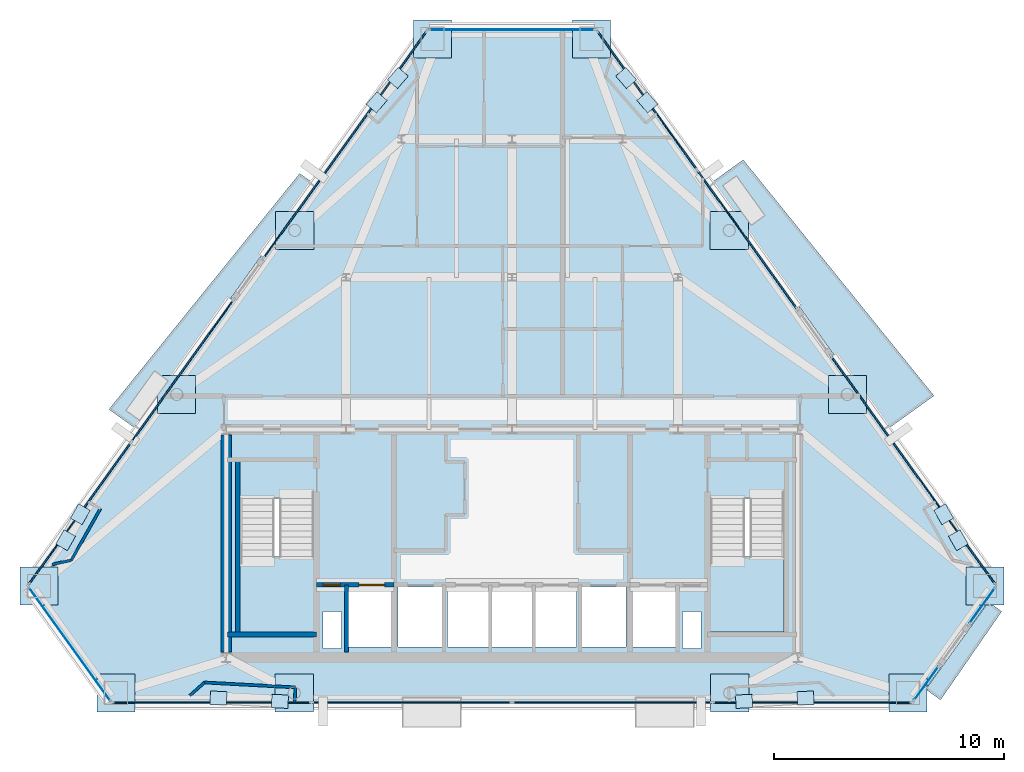
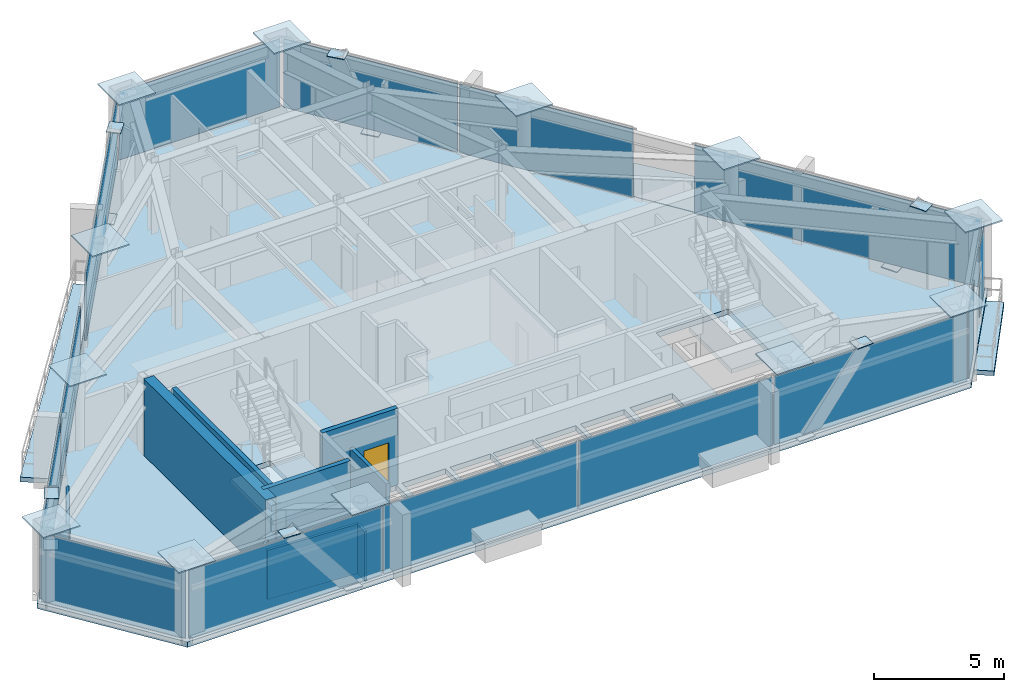
# One storey, part 6 of 11: 38 plates, 10 walls, 6 slabs, 2 doors, 2 openings, 11 elements without a shape of their own.
"""IFC4 building model written with IfcOpenShell, lengths in metres."""

from ifc_helpers import new_model, si_unit, direction, frame, frame_2d, origin, origin_2d, place, context, subcontext, project, spatial, polyline, rectangle, outline, extrude, source, transform, mapped, material, layer, layer_set, type_object, type_shapes, element, fill, aggregate, save


model = new_model("IFC4")

# Units and contexts
model_context = context("Model", 3, precision=1e-05, world=origin(), true_north=direction((0.0, 1.0)))
body_context = subcontext(model_context, "Body", "Model", "MODEL_VIEW")
ifc_project = project(units=[si_unit("LENGTHUNIT", "METRE"), si_unit("AREAUNIT", "SQUARE_METRE"), si_unit("VOLUMEUNIT", "CUBIC_METRE"), si_unit("PLANEANGLEUNIT", "RADIAN"), si_unit("MASSUNIT", "GRAM", prefix="KILO")], contexts=[model_context])

# Site, building, storey
site_placement = place(None, origin())
site = spatial("IfcSite", under=ifc_project, at=site_placement, CompositionType="ELEMENT")
building_placement = place(site_placement, origin())
building = spatial("IfcBuilding", under=site, at=building_placement, Name="Talgorran Terracotta Tower", CompositionType="ELEMENT")
storey_placement = place(building_placement, frame((0.0, 0.0, 200.10009765625)))
storey = spatial("IfcBuildingStorey", under=building, at=storey_placement, Name="L52", CompositionType="ELEMENT", Elevation=200.10009765625)

# Plates
ifc_material_1 = material(Name="Steel Grade 350 (350L0)", Category="steel")
ifc_layer_1 = layer(ifc_material_1, 0.031982421875, Name="PL_CAP_MN07")
ifc_layer_set_1 = layer_set([ifc_layer_1], Name="Steel Grade 350 (350L0)")
plate_type_1 = type_object("IfcPlateType", Name="PL_CAP_MN07", PredefinedType="USERDEFINED", material=ifc_layer_set_1)
for number, where, z_axis, x_axis, name in (
    (1, (-10.0712890625, -16.001220703125, -0.005859375), (0.0, 0.0, 1.0), (-0.998536670326, 0.054078812985, 0.0), "L52 Diagonal Frame End Cap SWF Bot"),
    (2, (-12.740478515625, -15.856689453125, 3.31884765625), (0.0, 0.0, 1.0), (-0.998536670326, 0.054078812985, 0.0), "L52 Diagonal Frame End Cap SWF Top"),
    (3, (10.0712890625, -16.001220703125, -0.005859375), (0.0, 0.0, 1.0), (0.998536670326, 0.054078812985, 0.0), "L52 Diagonal Frame End Cap SEF Bot"),
    (4, (12.740478515625, -15.856689453125, 3.31884765625), (0.0, 0.0, 1.0), (0.998536670326, 0.054078812985, 0.0), "L52 Diagonal Frame End Cap SEF Top"),
    (5, (18.73193359375, -7.884521484375, -0.005859375), (0.0, 0.0, 1.0), (0.49181581725, -0.870699260309, 0.0), "L52 Diagonal Frame End Cap NEL Bot"),
    (6, (19.36669921875, -9.00830078125, 3.31884765625), (0.0, 0.0, 1.0), (0.49181581725, -0.870699260309, 0.0), "L52 Diagonal Frame End Cap NEL Top"),
    (7, (5.872314453125, 9.9912109375, -0.005859375), (0.0, 0.0, 1.0), (-0.655663774065, 0.755052988457, 0.0), "L52 Diagonal Frame End Cap NEU Bot"),
    (8, (4.9541015625, 11.04833984375, 3.31884765625), (0.0, 0.0, 1.0), (-0.655663774065, 0.755052988457, 0.0), "L52 Diagonal Frame End Cap NEU Top"),
    (9, (-5.872314453125, 9.9912109375, -0.005859375), (0.0, 0.0, 1.0), (0.655663774065, 0.755052988457, 0.0), "L52 Diagonal Frame End Cap NWU Bot"),
    (10, (-4.9541015625, 11.04833984375, 3.31884765625), (0.0, 0.0, 1.0), (0.655663774065, 0.755052988457, 0.0), "L52 Diagonal Frame End Cap NWU Top"),
    (11, (-18.73193359375, -7.884521484375, -0.005859375), (0.0, 0.0, 1.0), (-0.49181581725, -0.870699260309, 0.0), "L52 Diagonal Frame End Cap NWL Bot"),
    (12, (-19.36669921875, -9.00830078125, 3.31884765625), (0.0, 0.0, 1.0), (-0.49181581725, -0.870699260309, 0.0), "L52 Diagonal Frame End Cap NWL Top"),
):
    element("IfcPlate", number, at=place(storey_placement, frame(where, z_axis=z_axis, x_axis=x_axis)), inside=storey, type_object=plate_type_1, Name=name, ObjectType="CAP PLATE", PredefinedType="USERDEFINED", context=body_context, shape_type="SweptSolid", body=[
        extrude(rectangle(XDim=0.719970703125, YDim=0.580078125, at=origin_2d()), origin(), (0.0, 0.0, 1.0), 0.031982421875),
    ])
ifc_layer_2 = layer(ifc_material_1, 0.06005859375, Name="PL_NODE_MN01")
ifc_layer_set_2 = layer_set([ifc_layer_2], Name="Steel Grade 350 (350L0)")
plate_type_2 = type_object("IfcPlateType", Name="PL_NODE_MN01", PredefinedType="USERDEFINED", material=ifc_layer_set_2)
for number, where, z_axis, x_axis, name in (
    (13, (-20.524169921875, -10.9921875, 3.5849609375), (0.0, 0.0, 1.0), (1.0, 0.0, 0.0), "L52 Mega-Column Cap Plate MC1"),
    (14, (-17.1796875, -15.64111328125, 3.5849609375), (0.0, 0.0, 1.0), (1.0, 0.0, 0.0), "L52 Mega-Column Cap Plate MC2"),
    (15, (17.1796875, -15.64111328125, 3.5849609375), (0.0, 0.0, 1.0), (1.0, 0.0, 0.0), "L52 Mega-Column Cap Plate MC3"),
    (16, (20.524169921875, -10.9921875, 3.5849609375), (0.0, 0.0, 1.0), (1.0, 0.0, 0.0), "L52 Mega-Column Cap Plate MC4"),
    (17, (3.4521484375, 12.73876953125, 3.5849609375), (0.0, 0.0, 1.0), (1.0, 0.0, 0.0), "L52 Mega-Column Cap Plate MC5"),
    (18, (-3.4521484375, 12.73876953125, 3.5849609375), (0.0, 0.0, 1.0), (1.0, 0.0, 0.0), "L52 Mega-Column Cap Plate MC6"),
    (19, (-9.44873046875, -15.64111328125, 3.5849609375), (0.0, 0.0, 1.0), (1.0, 0.0, 0.0), "L52 Facet Column Cap Plate FC1"),
    (20, (9.44873046875, -15.64111328125, 3.5849609375), (0.0, 0.0, 1.0), (1.0, 0.0, 0.0), "L52 Facet Column Cap Plate FC2"),
    (21, (14.548828125, -2.686279296875, 3.5849609375), (0.0, 0.0, 1.0), (1.0, 0.0, 0.0), "L52 Facet Column Cap Plate FC3"),
    (22, (9.42724609375, 4.43310546875, 3.5849609375), (0.0, 0.0, 1.0), (1.0, 0.0, 0.0), "L52 Facet Column Cap Plate FC4"),
    (23, (-9.42724609375, 4.43310546875, 3.5849609375), (0.0, 0.0, 1.0), (1.0, 0.0, 0.0), "L52 Facet Column Cap Plate FC5"),
    (24, (-14.548828125, -2.686279296875, 3.5849609375), (0.0, 0.0, 1.0), (1.0, 0.0, 0.0), "L52 Facet Column Cap Plate FC6"),
):
    element("IfcPlate", number, at=place(storey_placement, frame(where, z_axis=z_axis, x_axis=x_axis)), inside=storey, type_object=plate_type_2, Name=name, ObjectType="NODE PLATE", PredefinedType="USERDEFINED", context=body_context, shape_type="SweptSolid", body=[
        extrude(rectangle(XDim=1.64990234375, YDim=1.64990234375, at=origin_2d()), origin(), (0.0, 0.0, 1.0), 0.06005859375),
    ])

# Slabs
ifc_material_2 = material(Name="Concrete C40/50", Category="concrete")
ifc_layer_3 = layer(ifc_material_2, 0.219970703125, Name="SL_BALCONY_220")
ifc_layer_set_3 = layer_set([ifc_layer_3], Name="Concrete C40/50")
slab_type_1 = type_object("IfcSlabType", Name="SL_BALCONY_220", PredefinedType="FLOOR", material=ifc_layer_set_3)
slab_1_placement = place(storey_placement, frame((0.0, 0.0, -0.22021484375)))
element("IfcSlab", 25, at=slab_1_placement, inside=storey, type_object=slab_type_1, Name="L52 Outdoor Wave Balcony BAL-NE", PredefinedType="FLOOR", context=body_context, shape_type="SweptSolid", body=[
    extrude(outline(polyline([(8.61572265625, 6.477294921875), (16.2919921875, -4.193115234375), (18.310302734375, -2.7412109375), (10.03271484375, 7.496826171875), (8.61572265625, 6.477294921875)])), origin(), (0.0, 0.0, 1.0), 0.22021484375),
])
slab_2_placement = place(storey_placement, frame((0.0, 0.0, -0.22021484375)))
element("IfcSlab", 26, at=slab_2_placement, inside=storey, type_object=slab_type_1, Name="L52 Outdoor Wave Balcony BAL-NW", PredefinedType="FLOOR", context=body_context, shape_type="SweptSolid", body=[
    extrude(outline(polyline([(-16.2919921875, -4.193115234375), (-8.61572265625, 6.477294921875), (-9.211181640625, 6.90576171875), (-17.48876953125, -3.33203125), (-16.2919921875, -4.193115234375)])), origin(), (0.0, 0.0, 1.0), 0.22021484375),
])
slab_3_placement = place(storey_placement, frame((0.0, 0.0, -0.22021484375)))
element("IfcSlab", 27, at=slab_3_placement, inside=storey, type_object=slab_type_1, Name="L52 Outdoor Wave Balcony BAL-SE", PredefinedType="FLOOR", context=body_context, shape_type="SweptSolid", body=[
    extrude(outline(polyline([(20.680419921875, -11.69091796875), (17.95458984375, -15.47998046875), (18.59521484375, -15.940673828125), (21.2490234375, -12.099853515625), (20.680419921875, -11.69091796875)])), origin(), (0.0, 0.0, 1.0), 0.22021484375),
])

# Stair, slab
stair_type = type_object("IfcStairType", Name="ST_FIRE_SCISSOR", PredefinedType="HALF_TURN_STAIR", material=ifc_material_2)
stair_1_placement = place(storey_placement, origin())
stair_1 = element("IfcStair", 28, at=stair_1_placement, inside=storey, type_object=stair_type, Name="L52 West Protected Fire Stair ST-01", PredefinedType="HALF_TURN_STAIR")
ifc_layer_4 = layer(ifc_material_2, 0.199951171875, Name="SL_LANDING_200")
ifc_layer_set_4 = layer_set([ifc_layer_4], Name="Concrete C40/50")
slab_type_2 = type_object("IfcSlabType", Name="SL_LANDING_200", PredefinedType="LANDING", material=ifc_layer_set_4)
slab_4_placement = place(storey_placement, frame((0.0, 0.0, 1.599853515625)))
slab_4 = element("IfcSlab", 29, at=slab_4_placement, type_object=slab_type_2, Name="ST-01 landing 1", PredefinedType="LANDING", context=body_context, shape_type="SweptSolid", body=[
    extrude(outline(polyline([(-11.800048828125, -9.719970703125), (-11.800048828125, -13.0), (-8.60009765625, -13.0), (-8.60009765625, -9.719970703125), (-11.800048828125, -9.719970703125)])), origin(), (0.0, 0.0, 1.0), 0.199951171875),
])
aggregate(stair_1, [slab_4])

stair_2_placement = place(storey_placement, origin())
stair_2 = element("IfcStair", 30, at=stair_2_placement, inside=storey, type_object=stair_type, Name="L52 East Protected Fire Stair ST-02", PredefinedType="HALF_TURN_STAIR")
slab_5_placement = place(storey_placement, frame((0.0, 0.0, 1.599853515625)))
slab_5 = element("IfcSlab", 31, at=slab_5_placement, type_object=slab_type_2, Name="ST-02 landing 1", PredefinedType="LANDING", context=body_context, shape_type="SweptSolid", body=[
    extrude(outline(polyline([(8.60009765625, -9.719970703125), (8.60009765625, -13.0), (11.800048828125, -13.0), (11.800048828125, -9.719970703125), (8.60009765625, -9.719970703125)])), origin(), (0.0, 0.0, 1.0), 0.199951171875),
])
aggregate(stair_2, [slab_5])

# Slab
ifc_layer_5 = layer(ifc_material_2, 0.25, Name="SL_TOWER_250")
ifc_layer_set_5 = layer_set([ifc_layer_5], Name="Concrete C40/50")
slab_type_3 = type_object("IfcSlabType", Name="SL_TOWER_250", PredefinedType="FLOOR", material=ifc_layer_set_5)
slab_6_placement = place(storey_placement, frame((0.0, 0.0, -0.25)))
element("IfcSlab", 32, at=slab_6_placement, inside=storey, type_object=slab_type_3, Name="Storey L52 Structural Floor Slab", PredefinedType="FLOOR", context=body_context, shape_type="SweptSolid", body=[
    extrude(outline(polyline([(-21.164794921875, -10.9921875), (-17.4462890625, -16.1611328125), (17.4462890625, -16.1611328125), (21.164794921875, -10.9921875), (3.718505859375, 13.2587890625), (-3.718505859375, 13.2587890625), (-21.164794921875, -10.9921875)]), holes=[polyline([(-11.800048828125, -7.199951171875), (-11.800048828125, -13.0), (-8.60009765625, -13.0), (-8.60009765625, -7.199951171875), (-11.800048828125, -7.199951171875)]), polyline([(8.60009765625, -7.199951171875), (8.60009765625, -13.0), (11.800048828125, -13.0), (11.800048828125, -7.199951171875), (8.60009765625, -7.199951171875)]), polyline([(-7.10009765625, -13.64990234375), (-5.199951171875, -13.64990234375), (-5.199951171875, -11.050048828125), (-7.10009765625, -11.050048828125), (-7.10009765625, -13.64990234375)]), polyline([(5.199951171875, -13.64990234375), (7.10009765625, -13.64990234375), (7.10009765625, -11.050048828125), (5.199951171875, -11.050048828125), (5.199951171875, -13.64990234375)]), polyline([(3.0, -13.64990234375), (4.949951171875, -13.64990234375), (4.949951171875, -11.050048828125), (3.0, -11.050048828125), (3.0, -13.64990234375)]), polyline([(-4.949951171875, -13.64990234375), (-3.0, -13.64990234375), (-3.0, -11.050048828125), (-4.949951171875, -11.050048828125), (-4.949951171875, -13.64990234375)]), polyline([(-2.800048828125, -13.64990234375), (-1.0, -13.64990234375), (-1.0, -11.050048828125), (-2.800048828125, -11.050048828125), (-2.800048828125, -13.64990234375)]), polyline([(-0.89990234375, -13.64990234375), (0.89990234375, -13.64990234375), (0.89990234375, -11.050048828125), (-0.89990234375, -11.050048828125), (-0.89990234375, -13.64990234375)]), polyline([(1.0, -13.64990234375), (2.800048828125, -13.64990234375), (2.800048828125, -11.050048828125), (1.0, -11.050048828125), (1.0, -13.64990234375)]), polyline([(-8.199951171875, -13.699951171875), (-7.39990234375, -13.699951171875), (-7.39990234375, -12.10009765625), (-8.199951171875, -12.10009765625), (-8.199951171875, -13.699951171875)]), polyline([(7.39990234375, -13.699951171875), (8.199951171875, -13.699951171875), (8.199951171875, -12.10009765625), (7.39990234375, -12.10009765625), (7.39990234375, -13.699951171875)])]), origin(), (0.0, 0.0, 1.0), 0.25),
])

# Curtain wall, plate
ifc_material_3 = material(Name="High-Wind Unitised Glazing", Category="glass")
ifc_layer_6 = layer(ifc_material_3, 0.2099609375, Name="CW_SYS3_RES_HIGH")
ifc_layer_set_6 = layer_set([ifc_layer_6], Name="High-Wind Unitised Glazing")
curtain_wall_type = type_object("IfcCurtainWallType", Name="CW_SYS3_RES_HIGH", PredefinedType="NOTDEFINED", material=ifc_layer_set_6)
curtain_wall_1_placement = place(storey_placement, origin())
curtain_wall_1 = element("IfcCurtainWall", 33, at=curtain_wall_1_placement, inside=storey, type_object=curtain_wall_type, Name="CW-L52-F0", PredefinedType="NOTDEFINED")
ifc_material_4 = material(Name="High-Wind Acoustic Vision Glass", Category="glass")
ifc_layer_7 = layer(ifc_material_4, 0.031982421875, Name="PLT_VISION_32")
ifc_layer_set_7 = layer_set([ifc_layer_7], Name="High-Wind Acoustic Vision Glass")
plate_type_3 = type_object("IfcPlateType", Name="PLT_VISION_32", PredefinedType="CURTAIN_PANEL", material=ifc_layer_set_7)
shared_shape_1 = source(origin(), body_context, "Body", "SweptSolid", [
    extrude(rectangle(XDim=6.079833984375, YDim=0.031982421875, at=origin_2d()), origin(), (0.0, 0.0, 1.0), 3.205078125),
])
plate_1_placement = place(storey_placement, frame((-19.20068359375, -13.5166015625, 0.06982421875), z_axis=(0.0, 0.0, 1.0), x_axis=(0.583978547982, -0.811769090011, 0.0)))
plate_1 = element("IfcPlate", 34, at=plate_1_placement, type_object=plate_type_3, Name="CW-L52-0 panel 1.1", PredefinedType="CURTAIN_PANEL", context=body_context, shape_type="MappedRepresentation", body=[
    mapped(shared_shape_1, transform((0.0, 0.0, 0.0), scale=1.0)),
])
aggregate(curtain_wall_1, [plate_1])

# Curtain wall, plates
curtain_wall_2_placement = place(storey_placement, origin())
curtain_wall_2 = element("IfcCurtainWall", 35, at=curtain_wall_2_placement, inside=storey, type_object=curtain_wall_type, Name="CW-L52-F1", PredefinedType="NOTDEFINED")
ifc_material_5 = material(Name="Terracotta Insulated Spandrel", Category="masonry")
ifc_layer_8 = layer(ifc_material_5, 0.06494140625, Name="PLT_SPANDREL_TERRA")
ifc_layer_set_8 = layer_set([ifc_layer_8], Name="Terracotta Insulated Spandrel")
plate_type_4 = type_object("IfcPlateType", Name="PLT_SPANDREL_TERRA", PredefinedType="SHEET", material=ifc_layer_set_8)
shared_shape_2 = source(origin(), body_context, "Body", "SweptSolid", [
    extrude(rectangle(XDim=8.58740234375, YDim=0.06494140625, at=origin_2d()), origin(), (0.0, 0.0, 1.0), 3.205078125),
])
plate_2_placement = place(storey_placement, frame((-13.02099609375, -16.041015625, 0.06982421875), z_axis=(0.0, 0.0, 1.0), x_axis=(1.0, 0.0, 0.0)))
plate_2 = element("IfcPlate", 36, at=plate_2_placement, type_object=plate_type_4, Name="CW-L52-1 panel 1.1", PredefinedType="CURTAIN_PANEL", context=body_context, shape_type="MappedRepresentation", body=[
    mapped(shared_shape_2, transform((0.0, 0.0, 0.0), scale=1.0)),
])
plate_3_placement = place(storey_placement, frame((13.02099609375, -16.041015625, 0.06982421875), z_axis=(0.0, 0.0, 1.0), x_axis=(1.0, 0.0, 0.0)))
plate_3 = element("IfcPlate", 37, at=plate_3_placement, type_object=plate_type_4, Name="CW-L52-1 panel 4.1", PredefinedType="CURTAIN_PANEL", context=body_context, shape_type="MappedRepresentation", body=[
    mapped(shared_shape_2, transform((0.0, 0.0, 0.0), scale=1.0)),
])
shared_shape_3 = source(origin(), body_context, "Body", "SweptSolid", [
    extrude(rectangle(XDim=8.622314453125, YDim=0.06494140625, at=origin_2d()), origin(), (0.0, 0.0, 1.0), 3.205078125),
])
plate_4_placement = place(storey_placement, frame((-4.34619140625, -16.041015625, 0.06982421875), z_axis=(0.0, 0.0, 1.0), x_axis=(1.0, 0.0, 0.0)))
plate_4 = element("IfcPlate", 38, at=plate_4_placement, type_object=plate_type_4, Name="CW-L52-1 panel 2.1", PredefinedType="CURTAIN_PANEL", context=body_context, shape_type="MappedRepresentation", body=[
    mapped(shared_shape_3, transform((0.0, 0.0, 0.0), scale=1.0)),
])
plate_5_placement = place(storey_placement, frame((4.34619140625, -16.041015625, 0.06982421875), z_axis=(0.0, 0.0, 1.0), x_axis=(1.0, 0.0, 0.0)))
plate_5 = element("IfcPlate", 39, at=plate_5_placement, type_object=plate_type_4, Name="CW-L52-1 panel 3.1", PredefinedType="CURTAIN_PANEL", context=body_context, shape_type="MappedRepresentation", body=[
    mapped(shared_shape_3, transform((0.0, 0.0, 0.0), scale=1.0)),
])
aggregate(curtain_wall_2, [plate_2, plate_4, plate_5, plate_3])

# Curtain wall, plate
curtain_wall_3_placement = place(storey_placement, origin())
curtain_wall_3 = element("IfcCurtainWall", 40, at=curtain_wall_3_placement, inside=storey, type_object=curtain_wall_type, Name="CW-L52-F30", PredefinedType="NOTDEFINED")
shared_shape_4 = source(origin(), body_context, "Body", "SweptSolid", [
    extrude(rectangle(XDim=1.802490234375, YDim=0.031982421875, at=origin_2d()), origin(), (0.0, 0.0, 1.0), 3.205078125),
])
plate_6_placement = place(storey_placement, frame((17.975341796875, -15.22021484375, 0.06982421875), z_axis=(0.0, 0.0, 1.0), x_axis=(0.583976493387, 0.811770568062, 0.0)))
plate_6 = element("IfcPlate", 41, at=plate_6_placement, type_object=plate_type_3, Name="CW-L52-30 panel 1.1", PredefinedType="CURTAIN_PANEL", context=body_context, shape_type="MappedRepresentation", body=[
    mapped(shared_shape_4, transform((0.0, 0.0, 0.0), scale=1.0)),
])
aggregate(curtain_wall_3, [plate_6])

curtain_wall_4_placement = place(storey_placement, origin())
curtain_wall_4 = element("IfcCurtainWall", 42, at=curtain_wall_4_placement, inside=storey, type_object=curtain_wall_type, Name="CW-L52-F31", PredefinedType="NOTDEFINED")
shared_shape_5 = source(origin(), body_context, "Body", "SweptSolid", [
    extrude(rectangle(XDim=1.897216796875, YDim=0.031982421875, at=origin_2d()), origin(), (0.0, 0.0, 1.0), 3.205078125),
])
plate_7_placement = place(storey_placement, frame((20.398681640625, -11.8515625, 0.06982421875), z_axis=(0.0, 0.0, 1.0), x_axis=(0.583960689475, 0.811781936944, 0.0)))
plate_7 = element("IfcPlate", 43, at=plate_7_placement, type_object=plate_type_3, Name="CW-L52-31 panel 1.1", PredefinedType="CURTAIN_PANEL", context=body_context, shape_type="MappedRepresentation", body=[
    mapped(shared_shape_5, transform((0.0, 0.0, 0.0), scale=1.0)),
])
aggregate(curtain_wall_4, [plate_7])

curtain_wall_5_placement = place(storey_placement, origin())
curtain_wall_5 = element("IfcCurtainWall", 44, at=curtain_wall_5_placement, inside=storey, type_object=curtain_wall_type, Name="CW-L52-F40", PredefinedType="NOTDEFINED")
shared_shape_6 = source(origin(), body_context, "Body", "SweptSolid", [
    extrude(rectangle(XDim=12.135009765625, YDim=0.06494140625, at=origin_2d()), origin(), (0.0, 0.0, 1.0), 3.205078125),
])
plate_8_placement = place(storey_placement, frame((17.4091796875, -5.977294921875, 0.06982421875), z_axis=(0.0, 0.0, 1.0), x_axis=(-0.583985986421, 0.811763738821, 0.0)))
plate_8 = element("IfcPlate", 45, at=plate_8_placement, type_object=plate_type_4, Name="CW-L52-40 panel 1.1", PredefinedType="CURTAIN_PANEL", context=body_context, shape_type="MappedRepresentation", body=[
    mapped(shared_shape_6, transform((0.0, 0.0, 0.0), scale=1.0)),
])
aggregate(curtain_wall_5, [plate_8])

# Curtain wall, plates
curtain_wall_6_placement = place(storey_placement, origin())
curtain_wall_6 = element("IfcCurtainWall", 46, at=curtain_wall_6_placement, inside=storey, type_object=curtain_wall_type, Name="CW-L52-F41", PredefinedType="NOTDEFINED")
shared_shape_7 = source(origin(), body_context, "Body", "SweptSolid", [
    extrude(rectangle(XDim=7.3505859375, YDim=0.06494140625, at=origin_2d()), origin(), (0.0, 0.0, 1.0), 3.205078125),
])
plate_9_placement = place(storey_placement, frame((10.201171875, 4.042236328125, 0.06982421875), z_axis=(0.0, 0.0, 1.0), x_axis=(-0.583983672027, 0.8117654038, 0.0)))
plate_9 = element("IfcPlate", 47, at=plate_9_placement, type_object=plate_type_4, Name="CW-L52-41 panel 1.1", PredefinedType="CURTAIN_PANEL", context=body_context, shape_type="MappedRepresentation", body=[
    mapped(shared_shape_7, transform((0.0, 0.0, 0.0), scale=1.0)),
])
plate_10_placement = place(storey_placement, frame((5.86767578125, 10.06591796875, 0.06982421875), z_axis=(0.0, 0.0, 1.0), x_axis=(-0.583983672027, 0.8117654038, 0.0)))
plate_10 = element("IfcPlate", 48, at=plate_10_placement, type_object=plate_type_4, Name="CW-L52-41 panel 2.1", PredefinedType="CURTAIN_PANEL", context=body_context, shape_type="MappedRepresentation", body=[
    mapped(shared_shape_7, transform((0.0, 0.0, 0.0), scale=1.0)),
])
aggregate(curtain_wall_6, [plate_9, plate_10])

# Curtain wall, plate
curtain_wall_7_placement = place(storey_placement, origin())
curtain_wall_7 = element("IfcCurtainWall", 49, at=curtain_wall_7_placement, inside=storey, type_object=curtain_wall_type, Name="CW-L52-F4", PredefinedType="NOTDEFINED")
shared_shape_8 = source(origin(), body_context, "Body", "SweptSolid", [
    extrude(rectangle(XDim=7.17431640625, YDim=0.031982421875, at=origin_2d()), origin(), (0.0, 0.0, 1.0), 3.205078125),
])
type_shapes(plate_type_3, [shared_shape_1, shared_shape_4, shared_shape_5, shared_shape_8])
plate_11_placement = place(storey_placement, frame((0.0, 13.138916015625, 0.06982421875), z_axis=(0.0, 0.0, 1.0), x_axis=(-1.0, 0.0, 0.0)))
plate_11 = element("IfcPlate", 50, at=plate_11_placement, type_object=plate_type_3, Name="CW-L52-4 panel 1.1", PredefinedType="CURTAIN_PANEL", context=body_context, shape_type="MappedRepresentation", body=[
    mapped(shared_shape_8, transform((0.0, 0.0, 0.0), scale=1.0)),
])
aggregate(curtain_wall_7, [plate_11])

curtain_wall_8_placement = place(storey_placement, origin())
curtain_wall_8 = element("IfcCurtainWall", 51, at=curtain_wall_8_placement, inside=storey, type_object=curtain_wall_type, Name="CW-L52-F60", PredefinedType="NOTDEFINED")
shared_shape_9 = source(origin(), body_context, "Body", "SweptSolid", [
    extrude(rectangle(XDim=12.0634765625, YDim=0.06494140625, at=origin_2d()), origin(), (0.0, 0.0, 1.0), 3.205078125),
])
plate_12_placement = place(storey_placement, frame((-7.243896484375, 8.153076171875, 0.06982421875), z_axis=(0.0, 0.0, 1.0), x_axis=(-0.583985844174, -0.811763841153, 0.0)))
plate_12 = element("IfcPlate", 52, at=plate_12_placement, type_object=plate_type_4, Name="CW-L52-60 panel 1.1", PredefinedType="CURTAIN_PANEL", context=body_context, shape_type="MappedRepresentation", body=[
    mapped(shared_shape_9, transform((0.0, 0.0, 0.0), scale=1.0)),
])
aggregate(curtain_wall_8, [plate_12])

# Curtain wall, plates
curtain_wall_9_placement = place(storey_placement, origin())
curtain_wall_9 = element("IfcCurtainWall", 53, at=curtain_wall_9_placement, inside=storey, type_object=curtain_wall_type, Name="CW-L52-F61", PredefinedType="NOTDEFINED")
shared_shape_10 = source(origin(), body_context, "Body", "SweptSolid", [
    extrude(rectangle(XDim=7.536376953125, YDim=0.06494140625, at=origin_2d()), origin(), (0.0, 0.0, 1.0), 3.205078125),
])
type_shapes(plate_type_4, [shared_shape_2, shared_shape_3, shared_shape_6, shared_shape_7, shared_shape_9, shared_shape_10])
plate_13_placement = place(storey_placement, frame((-14.31005859375, -1.669189453125, 0.06982421875), z_axis=(0.0, 0.0, 1.0), x_axis=(-0.583981824578, -0.811766732851, 0.0)))
plate_13 = element("IfcPlate", 54, at=plate_13_placement, type_object=plate_type_4, Name="CW-L52-61 panel 1.1", PredefinedType="CURTAIN_PANEL", context=body_context, shape_type="MappedRepresentation", body=[
    mapped(shared_shape_10, transform((0.0, 0.0, 0.0), scale=1.0)),
])
plate_14_placement = place(storey_placement, frame((-18.751953125, -7.84375, 0.06982421875), z_axis=(0.0, 0.0, 1.0), x_axis=(-0.583981824578, -0.811766732851, 0.0)))
plate_14 = element("IfcPlate", 55, at=plate_14_placement, type_object=plate_type_4, Name="CW-L52-61 panel 2.1", PredefinedType="CURTAIN_PANEL", context=body_context, shape_type="MappedRepresentation", body=[
    mapped(shared_shape_10, transform((0.0, 0.0, 0.0), scale=1.0)),
])
aggregate(curtain_wall_9, [plate_13, plate_14])

# Walls
ifc_material_6 = material(Name="Concrete C50/60", Category="concrete")
ifc_layer_9 = layer(ifc_material_6, 0.199951171875, Name="WT_CORE_200")
ifc_layer_set_9 = layer_set([ifc_layer_9], Name="Concrete C50/60")
wall_type_1 = type_object("IfcWallType", Name="WT_CORE_200", PredefinedType="SOLIDWALL", material=ifc_layer_set_9)
wall_1_placement = place(storey_placement, frame((-12.35009765625, -13.10009765625, 0.0), z_axis=(0.0, 0.0, 1.0), x_axis=(1.0, 0.0, 0.0)))
element("IfcWall", 56, at=wall_1_placement, inside=storey, type_object=wall_type_1, Name="WL-L52-CW-ST1-S", PredefinedType="SOLIDWALL", context=body_context, shape_type="SweptSolid", body=[
    extrude(rectangle(XDim=3.8701171875, YDim=0.199951171875, at=frame_2d((1.93505859375, 0.0))), origin(), (0.0, 0.0, 1.0), 3.599853515625),
])
wall_2_placement = place(storey_placement, frame((-11.89990234375, -13.10009765625, 0.0), z_axis=(0.0, 0.0, 1.0), x_axis=(0.0, 1.0, 0.0)))
element("IfcWall", 57, at=wall_2_placement, inside=storey, type_object=wall_type_1, Name="WL-L52-CW-ST1-W", PredefinedType="SOLIDWALL", context=body_context, shape_type="SweptSolid", body=[
    extrude(rectangle(XDim=7.580078125, YDim=0.199951171875, at=frame_2d((3.7900390625, 0.0))), origin(), (0.0, 0.0, 1.0), 3.599853515625),
])

# Wall, openings, doors
wall_3_placement = place(storey_placement, frame((-8.47998046875, -10.949951171875, 0.0), z_axis=(0.0, 0.0, 1.0), x_axis=(1.0, 0.0, 0.0)))
wall_3 = element("IfcWall", 58, at=wall_3_placement, inside=storey, type_object=wall_type_1, Name="WL-L52-CW-H-SBW", PredefinedType="SOLIDWALL", context=body_context, shape_type="SweptSolid", body=[
    extrude(rectangle(XDim=3.35986328125, YDim=0.199951171875, at=frame_2d((1.679931640625, 0.0))), origin(), (0.0, 0.0, 1.0), 3.599853515625),
])
opening_1_placement = place(wall_3_placement, frame((0.280029296875, 0.0, 0.0)))
opening_1 = element("IfcOpeningElement", 59, at=opening_1_placement, cuts=wall_3, Name="Opening DR-RSW", PredefinedType="OPENING", context=body_context, shape_type="SweptSolid", body=[
    extrude(rectangle(XDim=0.756, YDim=2.054048828125, at=frame_2d((0.375, 1.027099609375))), frame((0.0, 0.10986328125, 0.0), z_axis=(0.0, -1.0, 0.0), x_axis=(1.0, 0.0, 0.0)), (0.0, 0.0, 1.0), 0.219970703125),
])
opening_2_placement = place(wall_3_placement, frame((1.85009765625, 0.0, 0.0)))
opening_2 = element("IfcOpeningElement", 60, at=opening_2_placement, cuts=wall_3, Name="Opening LD-FFL1", PredefinedType="OPENING", context=body_context, shape_type="SweptSolid", body=[
    extrude(rectangle(XDim=1.10609765625, YDim=2.10409765625, at=frame_2d((0.550048828125, 1.052001953125))), frame((0.0, 0.10986328125, 0.0), z_axis=(0.0, -1.0, 0.0), x_axis=(1.0, 0.0, 0.0)), (0.0, 0.0, 1.0), 0.219970703125),
])
ifc_material_7 = material(Name="Brushed Stainless Steel Grade 304", Category="steel")
door_type_1 = type_object("IfcDoorType", Name="DT_LIFT_LD1100", OperationType="DOUBLE_DOOR_SLIDING", PredefinedType="DOOR", material=ifc_material_7)
door_1_placement = place(opening_2_placement, origin())
door_1 = element("IfcDoor", 61, at=door_1_placement, inside=storey, type_object=door_type_1, Name="L52 Lift Landing Door LD-FFL1", OperationType="DOUBLE_DOOR_SLIDING", OverallHeight=2.10009765625, OverallWidth=1.10009765625, PredefinedType="DOOR", context=body_context, shape_type="SweptSolid", body=[
    extrude(rectangle(XDim=1.10009765625, YDim=2.10009765625, at=frame_2d((0.550048828125, 1.050048828125))), frame((0.0, 0.02490234375, 0.0), z_axis=(0.0, -1.0, 0.0), x_axis=(1.0, 0.0, 0.0)), (0.0, 0.0, 1.0), 0.050048828125),
])
fill(opening_2, door_1)
ifc_material_8 = material(Name="Fire-Rated Pressed Steel", Category="steel")
door_type_2 = type_object("IfcDoorType", Name="DT_RISER_750", OperationType="NOTDEFINED", PredefinedType="DOOR", material=ifc_material_8)
door_2_placement = place(opening_1_placement, origin())
door_2 = element("IfcDoor", 62, at=door_2_placement, inside=storey, type_object=door_type_2, Name="DR-RSW", OperationType="SINGLE_SWING_LEFT", OverallHeight=2.050048828125, OverallWidth=0.75, PredefinedType="DOOR", context=body_context, shape_type="SweptSolid", body=[
    extrude(rectangle(XDim=0.75, YDim=2.050048828125, at=frame_2d((0.375, 1.02490234375))), frame((0.0, 0.02490234375, 0.0), z_axis=(0.0, -1.0, 0.0), x_axis=(1.0, 0.0, 0.0)), (0.0, 0.0, 1.0), 0.050048828125),
])
fill(opening_1, door_2)

# Walls
ifc_material_9 = material(Name="Concrete C65/80", Category="concrete")
ifc_layer_10 = layer(ifc_material_9, 0.449951171875, Name="WT_CORE_EXT")
ifc_layer_set_10 = layer_set([ifc_layer_10], Name="Concrete C65/80")
wall_type_2 = type_object("IfcWallType", Name="WT_CORE_EXT", PredefinedType="SHEAR", material=ifc_layer_set_10)
wall_4_placement = place(storey_placement, frame((-12.39990234375, -13.85009765625, 0.0), z_axis=(0.0, 0.0, 1.0), x_axis=(0.0, 1.0, 0.0)))
element("IfcWall", 63, at=wall_4_placement, inside=storey, type_object=wall_type_2, Name="WL-L52-CW-OUT-W", PredefinedType="SHEAR", context=body_context, shape_type="SweptSolid", body=[
    extrude(rectangle(XDim=9.400146484375, YDim=0.449951171875, at=frame_2d((4.7001953125, 0.0))), origin(), (0.0, 0.0, 1.0), 3.599853515625),
])
ifc_material_10 = material(Name="Insulated Steel Stud Plasterboard", Category="steel")
ifc_layer_11 = layer(ifc_material_10, 0.1201171875, Name="WT_PART_120")
ifc_layer_set_11 = layer_set([ifc_layer_11], Name="Insulated Steel Stud Plasterboard")
wall_type_3 = type_object("IfcWallType", Name="WT_PART_120", PredefinedType="PARTITIONING", material=ifc_layer_set_11)
wall_5_placement = place(storey_placement, frame((-13.34521484375, -15.18310546875, 0.0), z_axis=(0.0, 0.0, 1.0), x_axis=(0.998542273278, -0.053975258015, 0.0)))
element("IfcWall", 64, at=wall_5_placement, inside=storey, type_object=wall_type_3, Name="WL-L52-BW-L52-02", PredefinedType="PARTITIONING", context=body_context, shape_type="SweptSolid", body=[
    extrude(rectangle(XDim=3.953369140625, YDim=0.1201171875, at=frame_2d((1.9765625, 0.0))), origin(), (0.0, 0.0, 1.0), 2.31982421875),
])
wall_6_placement = place(storey_placement, frame((-17.85986328125, -7.641845703125, 0.0), z_axis=(0.0, 0.0, 1.0), x_axis=(-0.491806907355, -0.870704293017, 0.0)))
element("IfcWall", 65, at=wall_6_placement, inside=storey, type_object=wall_type_3, Name="WL-L52-BW-L52-12", PredefinedType="PARTITIONING", context=body_context, shape_type="SweptSolid", body=[
    extrude(rectangle(XDim=2.571044921875, YDim=0.1201171875, at=frame_2d((1.28564453125, 0.0))), origin(), (0.0, 0.0, 1.0), 2.31982421875),
])
wall_7_placement = place(storey_placement, frame((-13.977783203125, -15.75, 0.0), z_axis=(0.0, 0.0, 1.0), x_axis=(0.744707356433, 0.667391154627, 0.0)))
element("IfcWall", 66, at=wall_7_placement, inside=storey, type_object=wall_type_3, Name="WL-L52-BW-L52-01", PredefinedType="PARTITIONING", context=body_context, shape_type="SweptSolid", body=[
    extrude(rectangle(XDim=0.849365234375, YDim=0.1201171875, at=frame_2d((0.4248046875, 0.0))), origin(), (0.0, 0.0, 1.0), 2.786865234375),
])
wall_8_placement = place(storey_placement, frame((-19.124267578125, -9.88037109375, 0.0), z_axis=(0.0, 0.0, 1.0), x_axis=(-0.977582693279, -0.210551841127, 0.0)))
element("IfcWall", 67, at=wall_8_placement, inside=storey, type_object=wall_type_3, Name="WL-L52-BW-L52-13", PredefinedType="PARTITIONING", context=body_context, shape_type="SweptSolid", body=[
    extrude(rectangle(XDim=0.84765625, YDim=0.1201171875, at=frame_2d((0.423828125, 0.0))), origin(), (0.0, 0.0, 1.0), 2.31982421875),
])
wall_9_placement = place(storey_placement, frame((-9.397705078125, -15.396484375, 0.0), z_axis=(0.0, 0.0, 1.0), x_axis=(-0.053788890406, -0.99855232976, 0.0)))
element("IfcWall", 68, at=wall_9_placement, inside=storey, type_object=wall_type_3, Name="WL-L52-BW-L52-03", PredefinedType="PARTITIONING", context=body_context, shape_type="SweptSolid", body=[
    extrude(rectangle(XDim=0.635498046875, YDim=0.1201171875, at=frame_2d((0.31787109375, 0.0))), origin(), (0.0, 0.0, 1.0), 2.31982421875),
])
ifc_material_11 = material(Name="Fire-Rated Shaftwall")
ifc_layer_12 = layer(ifc_material_11, 0.159912109375, Name="WT_PART_150")
ifc_layer_set_12 = layer_set([ifc_layer_12], Name="Fire-Rated Shaftwall")
wall_type_4 = type_object("IfcWallType", Name="WT_PART_150", PredefinedType="PARTITIONING", material=ifc_layer_set_12)
wall_10_placement = place(storey_placement, frame((-7.179931640625, -13.85009765625, 0.0), z_axis=(0.0, 0.0, 1.0), x_axis=(0.0, 1.0, 0.0)))
element("IfcWall", 69, at=wall_10_placement, inside=storey, type_object=wall_type_4, Name="WL-L52-CW-RSW", PredefinedType="PARTITIONING", context=body_context, shape_type="SweptSolid", body=[
    extrude(rectangle(XDim=2.900146484375, YDim=0.159912109375, at=frame_2d((1.4501953125, 0.0))), origin(), (0.0, 0.0, 1.0), 2.469970703125),
])

save(model, "model.ifc")
